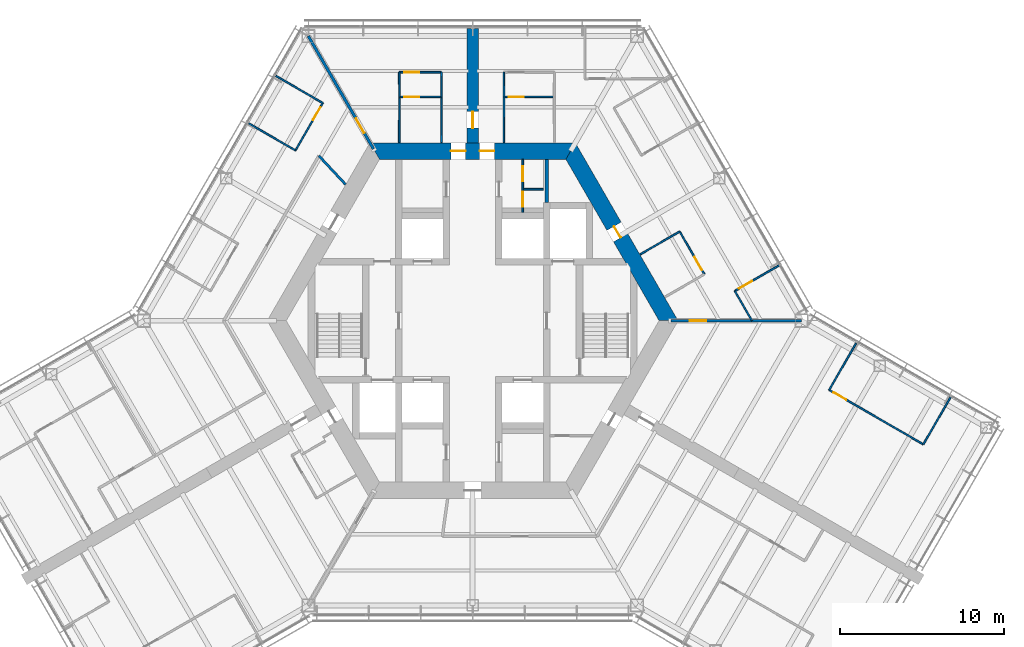
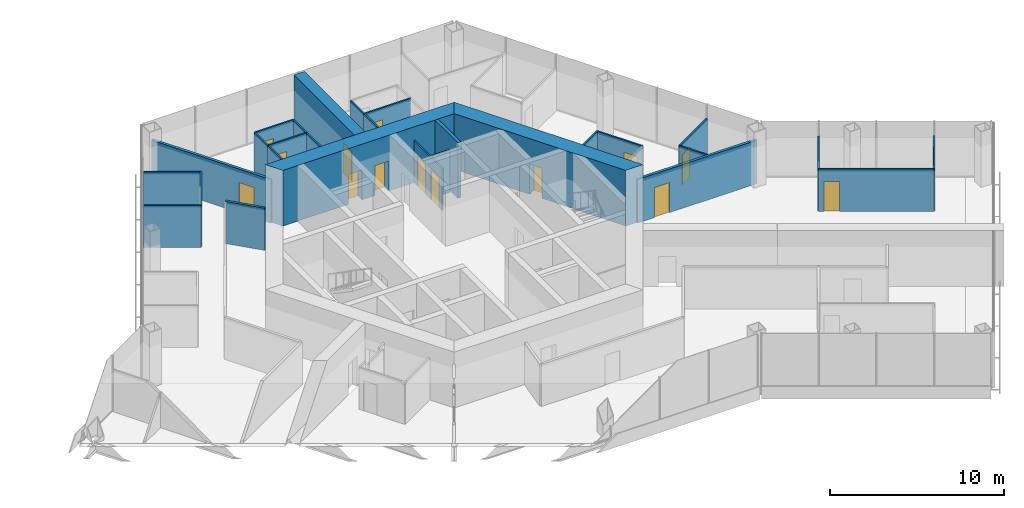
# One storey, part 14 of 18: 28 walls, 15 doors, 15 openings.
"""IFC4 building model written with IfcOpenShell, lengths in metres."""

import ifcopenshell
import ifcopenshell.guid

model = None  # the IFC model being written
_history = None  # IfcOwnerHistory: only IFC2X3 demands one
_inside = {}  # id of a spatial element -> (the spatial element, [elements in it])
_under = {}  # id of a project, library or spatial element -> (it, [spatial elements below it])
_declared = {}  # id of a project -> (the project, [libraries it declares])
_typed = {}  # id of a type object -> (the type object, [elements of that type])
_made_of = {}  # id of a material, layer set ... -> (it, [elements and type objects made of it])


def new_model(schema):
    """Start an empty IFC model of exactly this schema.

    Asked for "IFC4X3", IfcOpenShell would pick the latest addendum, in which some entities
    have other attributes; the version numbers below select the first issue.
    IFC2X3 requires an IfcOwnerHistory on every rooted entity: one is made here for all.
    """
    global model, _history
    if schema == "IFC4X3":
        model = ifcopenshell.file(schema_version=(4, 3, 0, 0))
    else:
        model = ifcopenshell.file(schema=schema)
    _inside.clear()
    _under.clear()
    _declared.clear()
    _typed.clear()
    _made_of.clear()
    _history = None
    if model.schema == "IFC2X3":
        org = make("IfcOrganization", Name="unknown")
        user = make(
            "IfcPersonAndOrganization",
            ThePerson=make("IfcPerson", FamilyName="unknown"),
            TheOrganization=org,
        )
        app = make(
            "IfcApplication",
            ApplicationDeveloper=org,
            Version="unknown",
            ApplicationFullName="unknown",
            ApplicationIdentifier="unknown",
        )
        _history = make(
            "IfcOwnerHistory",
            OwningUser=user,
            OwningApplication=app,
            ChangeAction="ADDED",
            CreationDate=0,
        )
    return model


def make(cls, **values):
    """One entity of the class cls with the attributes given. An attribute that is None is left unset."""
    return model.create_entity(
        cls, **{name: value for name, value in values.items() if value is not None}
    )


def rooted(cls, **values):
    """An entity with a GlobalId (a new one), such as an element, a storey or a relation."""
    return make(cls, GlobalId=ifcopenshell.guid.new(), OwnerHistory=_history, **values)


def si_unit(unit_type, name, prefix=None):
    """IfcSIUnit, for example si_unit("LENGTHUNIT", "METRE", prefix="MILLI")."""
    return make("IfcSIUnit", UnitType=unit_type, Prefix=prefix, Name=name)


def assignment(units):
    """IfcUnitAssignment: the units of a project."""
    return None if units is None else make("IfcUnitAssignment", Units=units)


def point(xyz):
    """IfcCartesianPoint."""
    return None if xyz is None else make("IfcCartesianPoint", Coordinates=xyz)


def direction(xyz):
    """IfcDirection."""
    return None if xyz is None else make("IfcDirection", DirectionRatios=xyz)


def frame(location, z_axis=None, x_axis=None):
    """IfcAxis2Placement3D, a coordinate frame: its origin and axes. An axis left out is left unset."""
    return make(
        "IfcAxis2Placement3D",
        Location=point(location),
        Axis=direction(z_axis),
        RefDirection=direction(x_axis),
    )


def frame_2d(location, x_axis=None):
    """IfcAxis2Placement2D, a coordinate frame in the plane: its origin and x axis."""
    return make(
        "IfcAxis2Placement2D", Location=point(location), RefDirection=direction(x_axis)
    )


def origin():
    """The frame at (0, 0, 0) with its axes left unset."""
    return frame((0.0, 0.0, 0.0))


def place(relative_to, where):
    """IfcLocalPlacement: puts the frame where relative to a parent placement (None: the world)."""
    return make(
        "IfcLocalPlacement", PlacementRelTo=relative_to, RelativePlacement=where
    )


def context(
    kind, dimensions, precision=None, world=None, true_north=None, identifier=None
):
    """IfcGeometricRepresentationContext, for example the 3D "Model" context."""
    return make(
        "IfcGeometricRepresentationContext",
        ContextIdentifier=identifier,
        ContextType=kind,
        CoordinateSpaceDimension=dimensions,
        Precision=precision,
        WorldCoordinateSystem=world,
        TrueNorth=true_north,
    )


def subcontext(parent, identifier, kind, view, scale=None):
    """IfcGeometricRepresentationSubContext, for example "Body" below "Model"."""
    return make(
        "IfcGeometricRepresentationSubContext",
        ContextIdentifier=identifier,
        ContextType=kind,
        ParentContext=parent,
        TargetScale=scale,
        TargetView=view,
    )


def project(units=None, contexts=None):
    """IfcProject with its units and contexts."""
    return rooted(
        "IfcProject",
        Name="project",
        RepresentationContexts=contexts,
        UnitsInContext=assignment(units),
    )


def spatial(cls, under=None, at=None, **own):
    """A site, building, storey or space (cls), placed at a placement, below another one or the project."""
    s = rooted(cls, ObjectPlacement=at, **own)
    if under is not None:
        _under.setdefault(under.id(), (under, []))[1].append(s)
    return s


def polyline(points):
    """IfcPolyline through the points."""
    return make("IfcPolyline", Points=[point(p) for p in points])


def profile(cls, at=None, kind="AREA", **sizes):
    """A parametric profile (cls). Its sizes go by their IFC names, for example OverallWidth=200.0."""
    return make(cls, ProfileType=kind, Position=at, **sizes)


def rectangle(**sizes):
    """IfcRectangleProfileDef."""
    return profile("IfcRectangleProfileDef", **sizes)


def outline(outer, holes=None, kind="AREA"):
    """IfcArbitraryClosedProfileDef: a profile drawn as a closed curve; with holes, ...WithVoids."""
    if holes is None:
        return make("IfcArbitraryClosedProfileDef", ProfileType=kind, OuterCurve=outer)
    return make(
        "IfcArbitraryProfileDefWithVoids",
        ProfileType=kind,
        OuterCurve=outer,
        InnerCurves=holes,
    )


def extrude(swept, where, along, depth):
    """IfcExtrudedAreaSolid: the profile swept, set in the frame where, extruded along a direction by depth."""
    return make(
        "IfcExtrudedAreaSolid",
        SweptArea=swept,
        Position=where,
        ExtrudedDirection=direction(along),
        Depth=depth,
    )


def shape(context_of_items, identifier, shape_type, items):
    """IfcShapeRepresentation: the items that make up one representation, for example the "Body"."""
    return make(
        "IfcShapeRepresentation",
        ContextOfItems=context_of_items,
        RepresentationIdentifier=identifier,
        RepresentationType=shape_type,
        Items=items,
    )


def material(Name=None, Category=None):
    """IfcMaterial."""
    return make("IfcMaterial", Name=Name, Category=Category)


def layer(
    of_material, thickness, ventilated=None, Name=None, Category=None, Priority=None
):
    """IfcMaterialLayer: one layer of a wall or slab, of a material (None: an air gap)."""
    return make(
        "IfcMaterialLayer",
        Material=of_material,
        LayerThickness=thickness,
        IsVentilated=ventilated,
        Name=Name,
        Category=Category,
        Priority=Priority,
    )


def layer_set(layers, Name=None):
    """IfcMaterialLayerSet."""
    return make("IfcMaterialLayerSet", MaterialLayers=layers, LayerSetName=Name)


def made_of(thing, what):
    """Note that an element or type object is made of a material, layer set ...; save() writes the relation."""
    if what is not None:
        _made_of.setdefault(what.id(), (what, []))[1].append(thing)
    return thing


def type_object(cls, material=None, **own):
    """A type object (cls), such as IfcWallType, which elements share."""
    return made_of(rooted(cls, **own), material)


def element(
    cls,
    number,
    at=None,
    inside=None,
    cuts=None,
    type_object=None,
    material=None,
    context=None,
    identifier="Body",
    shape_type=None,
    held_by="IfcProductDefinitionShape",
    body=None,
    shapes=None,
    **own,
):
    """One element of the class cls, such as IfcWall. Its Tag is "e" and its number.

    at: its placement. inside: the storey or other place that contains it. cuts: it is an
    opening in that element (IfcRelVoidsElement). A single representation is given by context,
    identifier, shape_type and body (its items); several are given by shapes. held_by: the class
    of the entity that holds the representations. save() writes the other relations.
    """
    e = rooted(cls, Tag="e%d" % number, ObjectPlacement=at, **own)
    if body is not None:
        shapes = [shape(context, identifier, shape_type, body)]
    if shapes is not None:
        e.Representation = make(held_by, Representations=shapes)
    if inside is not None:
        _inside.setdefault(inside.id(), (inside, []))[1].append(e)
    if cuts is not None:
        rooted(
            "IfcRelVoidsElement", RelatingBuildingElement=cuts, RelatedOpeningElement=e
        )
    if type_object is not None:
        _typed.setdefault(type_object.id(), (type_object, []))[1].append(e)
    return made_of(e, material)


def fill(opening, filler):
    """IfcRelFillsElement: the door or window that sits in an opening."""
    return rooted(
        "IfcRelFillsElement",
        RelatingOpeningElement=opening,
        RelatedBuildingElement=filler,
    )


def aggregate(whole, parts):
    """IfcRelAggregates: a whole, such as a stair, and the parts it consists of."""
    return rooted("IfcRelAggregates", RelatingObject=whole, RelatedObjects=parts)


def save(model, path):
    """Write the relations noted so far, then the file.

    IfcRelAggregates (storeys below a building ...), IfcRelContainedInSpatialStructure (elements
    in a storey), IfcRelDefinesByType, IfcRelAssociatesMaterial and IfcRelDeclares: one each for
    every whole, place, type object, material and project.
    """
    for whole, parts in _under.values():
        aggregate(whole, parts)
    for where, things in _inside.values():
        rooted(
            "IfcRelContainedInSpatialStructure",
            RelatedElements=things,
            RelatingStructure=where,
        )
    for kind, things in _typed.values():
        rooted("IfcRelDefinesByType", RelatedObjects=things, RelatingType=kind)
    for what, things in _made_of.values():
        rooted("IfcRelAssociatesMaterial", RelatedObjects=things, RelatingMaterial=what)
    for by, libraries in _declared.values():
        rooted("IfcRelDeclares", RelatingContext=by, RelatedDefinitions=libraries)
    model.write(path)


model = new_model("IFC4")

# Units and contexts
model_context = context("Model", 3, precision=1e-05, world=origin(), true_north=direction((0.0, 1.0)))
body_context = subcontext(model_context, "Body", "Model", "MODEL_VIEW")
ifc_project = project(units=[si_unit("LENGTHUNIT", "METRE"), si_unit("AREAUNIT", "SQUARE_METRE"), si_unit("VOLUMEUNIT", "CUBIC_METRE"), si_unit("PLANEANGLEUNIT", "RADIAN"), si_unit("MASSUNIT", "GRAM", prefix="KILO")], contexts=[model_context])

# Site, building, storey
site_placement = place(None, origin())
site = spatial("IfcSite", under=ifc_project, at=site_placement, CompositionType="ELEMENT")
building_placement = place(site_placement, origin())
building = spatial("IfcBuilding", under=site, at=building_placement, Name="Kasaneha Research Tower", CompositionType="ELEMENT")
storey_placement = place(building_placement, frame((0.0, 0.0, 144.800048828125)))
storey = spatial("IfcBuildingStorey", under=building, at=storey_placement, Name="L36", CompositionType="ELEMENT", Elevation=144.800048828125)

# Wall, opening, door
ifc_material_1 = material(Name="Concrete Fc70", Category="concrete")
ifc_layer_1 = layer(ifc_material_1, 1.0)
ifc_layer_set_1 = layer_set([ifc_layer_1], Name="Core wall 1000 Fc70")
wall_type_1 = type_object("IfcWallType", Name="Core wall 1000 Fc70", PredefinedType="SHEAR", material=ifc_layer_set_1)
wall_1_placement = place(storey_placement, frame((11.92236328125, 0.0, 0.0), z_axis=(0.0, 0.0, 1.0), x_axis=(-0.500004296715, 0.866022923061, 0.0)))
wall_1 = element("IfcWall", 1, at=wall_1_placement, inside=storey, type_object=wall_type_1, Name="Core wall 030 L36", PredefinedType="SHEAR", context=body_context, shape_type="SweptSolid", body=[
    extrude(outline(polyline([(-0.28857421875, -0.5), (5.83544921875, -0.5), (6.635498046875, -0.5), (12.2109375, -0.5), (11.6337890625, 0.5), (6.635498046875, 0.5), (5.83544921875, 0.5), (0.28857421875, 0.5), (-0.28857421875, -0.5)])), origin(), (0.0, 0.0, 1.0), 3.89990234375),
])
opening_1_placement = place(wall_1_placement, frame((5.83544921875, 0.0, 0.0)))
opening_1 = element("IfcOpeningElement", 2, at=opening_1_placement, cuts=wall_1, Name="Opening L36-D04", PredefinedType="OPENING", context=body_context, shape_type="SweptSolid", body=[
    extrude(rectangle(XDim=0.800048828125, YDim=2.10009765625, at=frame_2d((0.39990234375, 1.050048828125))), frame((0.0, 0.510009765625, 0.0), z_axis=(0.0, -1.0, 0.0), x_axis=(1.0, 0.0, 0.0)), (0.0, 0.0, 1.0), 1.02001953125),
])
ifc_material_2 = material(Name="Steel", Category="steel")
door_type_1 = type_object("IfcDoorType", Name="Riser access door FD60 800x2100", OperationType="NOTDEFINED", PredefinedType="DOOR", material=ifc_material_2)
door_1_placement = place(opening_1_placement, origin())
door_1 = element("IfcDoor", 3, at=door_1_placement, inside=storey, type_object=door_type_1, Name="Pipe riser door L36-D04", OperationType="SINGLE_SWING_RIGHT", OverallHeight=2.10009765625, OverallWidth=0.800048828125, PredefinedType="DOOR", context=body_context, shape_type="SweptSolid", body=[
    extrude(rectangle(XDim=0.800048828125, YDim=2.10009765625, at=frame_2d((0.39990234375, 1.050048828125))), frame((0.0, 0.02490234375, 0.0), z_axis=(0.0, -1.0, 0.0), x_axis=(1.0, 0.0, 0.0)), (0.0, 0.0, 1.0), 0.050048828125),
])
fill(opening_1, door_1)

# Wall, openings, doors
wall_2_placement = place(storey_placement, frame((5.961181640625, 10.324951171875, 0.0), z_axis=(0.0, 0.0, 1.0), x_axis=(-1.0, 0.0, 0.0)))
wall_2 = element("IfcWall", 4, at=wall_2_placement, inside=storey, type_object=wall_type_1, Name="Core wall 090 L36", PredefinedType="SHEAR", context=body_context, shape_type="SweptSolid", body=[
    extrude(outline(polyline([(-0.28857421875, -0.5), (4.63623046875, -0.5), (5.5361328125, -0.5), (6.38623046875, -0.5), (7.2861328125, -0.5), (12.2109375, -0.5), (11.6337890625, 0.5), (7.2861328125, 0.5), (6.38623046875, 0.5), (5.5361328125, 0.5), (4.63623046875, 0.5), (0.28857421875, 0.5), (-0.28857421875, -0.5)])), origin(), (0.0, 0.0, 1.0), 3.89990234375),
])
opening_2_placement = place(wall_2_placement, frame((6.38623046875, 0.0, 0.0)))
opening_2 = element("IfcOpeningElement", 5, at=opening_2_placement, cuts=wall_2, Name="Opening L36-D01", PredefinedType="OPENING", context=body_context, shape_type="SweptSolid", body=[
    extrude(rectangle(XDim=0.89990234375, YDim=2.10009765625, at=frame_2d((0.449951171875, 1.050048828125))), frame((0.0, 0.510009765625, 0.0), z_axis=(0.0, -1.0, 0.0), x_axis=(1.0, 0.0, 0.0)), (0.0, 0.0, 1.0), 1.02001953125),
])
opening_3_placement = place(wall_2_placement, frame((4.63623046875, 0.0, 0.0)))
opening_3 = element("IfcOpeningElement", 6, at=opening_3_placement, cuts=wall_2, Name="Opening L36-D02", PredefinedType="OPENING", context=body_context, shape_type="SweptSolid", body=[
    extrude(rectangle(XDim=0.89990234375, YDim=2.10009765625, at=frame_2d((0.449951171875, 1.050048828125))), frame((0.0, 0.510009765625, 0.0), z_axis=(0.0, -1.0, 0.0), x_axis=(1.0, 0.0, 0.0)), (0.0, 0.0, 1.0), 1.02001953125),
])
ifc_material_3 = material(Name="Steel", Category="steel")
door_type_2 = type_object("IfcDoorType", Name="Toilet door FD20 900x2100", OperationType="NOTDEFINED", PredefinedType="DOOR", material=ifc_material_3)
door_2_placement = place(opening_2_placement, origin())
door_2 = element("IfcDoor", 7, at=door_2_placement, inside=storey, type_object=door_type_2, Name="Core door north 1 L36-D01", OperationType="SINGLE_SWING_RIGHT", OverallHeight=2.10009765625, OverallWidth=0.89990234375, PredefinedType="DOOR", context=body_context, shape_type="SweptSolid", body=[
    extrude(rectangle(XDim=0.89990234375, YDim=2.10009765625, at=frame_2d((0.449951171875, 1.050048828125))), frame((0.0, 0.02490234375, 0.0), z_axis=(0.0, -1.0, 0.0), x_axis=(1.0, 0.0, 0.0)), (0.0, 0.0, 1.0), 0.050048828125),
])
fill(opening_2, door_2)
door_3_placement = place(opening_3_placement, origin())
door_3 = element("IfcDoor", 8, at=door_3_placement, inside=storey, type_object=door_type_2, Name="Core door north 2 L36-D02", OperationType="SINGLE_SWING_LEFT", OverallHeight=2.10009765625, OverallWidth=0.89990234375, PredefinedType="DOOR", context=body_context, shape_type="SweptSolid", body=[
    extrude(rectangle(XDim=0.89990234375, YDim=2.10009765625, at=frame_2d((0.449951171875, 1.050048828125))), frame((0.0, 0.02490234375, 0.0), z_axis=(0.0, -1.0, 0.0), x_axis=(1.0, 0.0, 0.0)), (0.0, 0.0, 1.0), 0.050048828125),
])
fill(opening_3, door_3)

ifc_material_4 = material(Name="Gypsum board on steel studs, one layer each side", Category="steel")
ifc_layer_2 = layer(ifc_material_4, 0.10009765625)
ifc_layer_set_2 = layer_set([ifc_layer_2], Name="Office partition 100")
wall_type_2 = type_object("IfcWallType", Name="Office partition 100", PredefinedType="PARTITIONING", material=ifc_layer_set_2)
wall_3_placement = place(storey_placement, frame((3.050048828125, 6.60009765625, 0.0), z_axis=(0.0, 0.0, 1.0), x_axis=(0.0, 1.0, 0.0)))
wall_3 = element("IfcWall", 9, at=wall_3_placement, inside=storey, type_object=wall_type_2, Name="Office partition TBF1 L36", PredefinedType="PARTITIONING", context=body_context, shape_type="SweptSolid", body=[
    extrude(rectangle(XDim=3.224853515625, YDim=0.10009765625, at=frame_2d((1.6123046875, 0.0))), origin(), (0.0, 0.0, 1.0), 2.949951171875),
])
opening_4_placement = place(wall_3_placement, frame((1.887451171875, 0.0, 0.0)))
opening_4 = element("IfcOpeningElement", 10, at=opening_4_placement, cuts=wall_3, Name="Opening L36-D20", PredefinedType="OPENING", context=body_context, shape_type="SweptSolid", body=[
    extrude(rectangle(XDim=0.89990234375, YDim=2.10009765625, at=frame_2d((0.449951171875, 1.050048828125))), frame((0.0, 0.06005859375, 0.0), z_axis=(0.0, -1.0, 0.0), x_axis=(1.0, 0.0, 0.0)), (0.0, 0.0, 1.0), 0.1201171875),
])
opening_5_placement = place(wall_3_placement, frame((0.35009765625, 0.0, 0.0)))
opening_5 = element("IfcOpeningElement", 11, at=opening_5_placement, cuts=wall_3, Name="Opening L36-D21", PredefinedType="OPENING", context=body_context, shape_type="SweptSolid", body=[
    extrude(rectangle(XDim=0.89990234375, YDim=2.10009765625, at=frame_2d((0.449951171875, 1.050048828125))), frame((0.0, 0.06005859375, 0.0), z_axis=(0.0, -1.0, 0.0), x_axis=(1.0, 0.0, 0.0)), (0.0, 0.0, 1.0), 0.1201171875),
])
ifc_material_5 = material(Name="Steel", Category="steel")
door_type_3 = type_object("IfcDoorType", Name="Toilet lobby door FD30 900x2100", OperationType="NOTDEFINED", PredefinedType="DOOR", material=ifc_material_5)
door_4_placement = place(opening_4_placement, origin())
door_4 = element("IfcDoor", 12, at=door_4_placement, inside=storey, type_object=door_type_3, Name="Women's WC door L36-D20", OperationType="SINGLE_SWING_RIGHT", OverallHeight=2.10009765625, OverallWidth=0.89990234375, PredefinedType="DOOR", context=body_context, shape_type="SweptSolid", body=[
    extrude(rectangle(XDim=0.89990234375, YDim=2.10009765625, at=frame_2d((0.449951171875, 1.050048828125))), frame((0.0, 0.02490234375, 0.0), z_axis=(0.0, -1.0, 0.0), x_axis=(1.0, 0.0, 0.0)), (0.0, 0.0, 1.0), 0.050048828125),
])
fill(opening_4, door_4)
door_5_placement = place(opening_5_placement, origin())
door_5 = element("IfcDoor", 13, at=door_5_placement, inside=storey, type_object=door_type_3, Name="Cleaner's store door L36-D21", OperationType="SINGLE_SWING_RIGHT", OverallHeight=2.10009765625, OverallWidth=0.89990234375, PredefinedType="DOOR", context=body_context, shape_type="SweptSolid", body=[
    extrude(rectangle(XDim=0.89990234375, YDim=2.10009765625, at=frame_2d((0.449951171875, 1.050048828125))), frame((0.0, 0.02490234375, 0.0), z_axis=(0.0, -1.0, 0.0), x_axis=(1.0, 0.0, 0.0)), (0.0, 0.0, 1.0), 0.050048828125),
])
fill(opening_5, door_5)

# Wall
wall_4_placement = place(storey_placement, frame((3.10009765625, 8.0, 0.0), z_axis=(0.0, 0.0, 1.0), x_axis=(1.0, 0.0, 0.0)))
element("IfcWall", 14, at=wall_4_placement, inside=storey, type_object=wall_type_2, Name="Office partition TBF2 L36", PredefinedType="PARTITIONING", context=body_context, shape_type="SweptSolid", body=[
    extrude(rectangle(XDim=1.199951171875, YDim=0.10009765625, at=frame_2d((0.60009765625, 0.0))), origin(), (0.0, 0.0, 1.0), 2.949951171875),
])

# Wall, opening, door
wall_5_placement = place(storey_placement, frame((1.89990234375, 13.6201171875, 0.0), z_axis=(0.0, 0.0, 1.0), x_axis=(1.0, 0.0, 0.0)))
wall_5 = element("IfcWall", 15, at=wall_5_placement, inside=storey, type_object=wall_type_2, Name="Office partition FAE01 L36", PredefinedType="PARTITIONING", context=body_context, shape_type="SweptSolid", body=[
    extrude(rectangle(XDim=3.071044921875, YDim=0.10009765625, at=frame_2d((1.53564453125, 0.0))), origin(), (0.0, 0.0, 1.0), 2.949951171875),
])
opening_6_placement = place(wall_5_placement, frame((0.300048828125, 0.0, 0.0)))
opening_6 = element("IfcOpeningElement", 16, at=opening_6_placement, cuts=wall_5, Name="Opening L36-D26", PredefinedType="OPENING", context=body_context, shape_type="SweptSolid", body=[
    extrude(rectangle(XDim=0.89990234375, YDim=2.10009765625, at=frame_2d((0.449951171875, 1.050048828125))), frame((0.0, 0.06005859375, 0.0), z_axis=(0.0, -1.0, 0.0), x_axis=(1.0, 0.0, 0.0)), (0.0, 0.0, 1.0), 0.1201171875),
])
door_6_placement = place(opening_6_placement, origin())
door_6 = element("IfcDoor", 17, at=door_6_placement, inside=storey, type_object=door_type_3, Name="Women's WC door L36-D26", OperationType="SINGLE_SWING_LEFT", OverallHeight=2.10009765625, OverallWidth=0.89990234375, PredefinedType="DOOR", context=body_context, shape_type="SweptSolid", body=[
    extrude(rectangle(XDim=0.89990234375, YDim=2.10009765625, at=frame_2d((0.449951171875, 1.050048828125))), frame((0.0, 0.02490234375, 0.0), z_axis=(0.0, -1.0, 0.0), x_axis=(1.0, 0.0, 0.0)), (0.0, 0.0, 1.0), 0.050048828125),
])
fill(opening_6, door_6)

# Walls
wall_6_placement = place(storey_placement, frame((1.89990234375, 10.844970703125, 0.0), z_axis=(0.0, 0.0, 1.0), x_axis=(0.001668567099, 0.999998607941, 0.0)))
element("IfcWall", 18, at=wall_6_placement, inside=storey, type_object=wall_type_2, Name="Office partition FAE02 L36", PredefinedType="PARTITIONING", context=body_context, shape_type="SweptSolid", body=[
    extrude(rectangle(XDim=2.780029296875, YDim=0.10009765625, at=frame_2d((1.39013671875, 0.0))), origin(), (0.0, 0.0, 1.0), 2.949951171875),
])
wall_7_placement = place(storey_placement, frame((1.904541015625, 13.625, 0.0), z_axis=(0.0, 0.0, 1.0), x_axis=(-0.00309243313, 0.999995218417, 0.0)))
element("IfcWall", 19, at=wall_7_placement, inside=storey, type_object=wall_type_2, Name="Office partition FAE05 L36", PredefinedType="PARTITIONING", context=body_context, shape_type="SweptSolid", body=[
    extrude(rectangle(XDim=1.5, YDim=0.10009765625, at=frame_2d((0.75, 0.0))), origin(), (0.0, 0.0, 1.0), 2.949951171875),
])
wall_8_placement = place(storey_placement, frame((10.19189453125, 4.036865234375, 0.0), z_axis=(0.0, 0.0, 1.0), x_axis=(0.866018876994, 0.500011304563, 0.0)))
element("IfcWall", 20, at=wall_8_placement, inside=storey, type_object=wall_type_2, Name="Office partition FAE07 L36", PredefinedType="PARTITIONING", context=body_context, shape_type="SweptSolid", body=[
    extrude(rectangle(XDim=2.7802734375, YDim=0.10009765625, at=frame_2d((1.39013671875, 0.0))), origin(), (0.0, 0.0, 1.0), 2.949951171875),
])

# Wall, opening, door
wall_9_placement = place(storey_placement, frame((12.599609375, 5.427001953125, 0.0), z_axis=(0.0, 0.0, 1.0), x_axis=(0.499990139034, -0.866031096941, 0.0)))
wall_9 = element("IfcWall", 21, at=wall_9_placement, inside=storey, type_object=wall_type_2, Name="Office partition FAE08 L36", PredefinedType="PARTITIONING", context=body_context, shape_type="SweptSolid", body=[
    extrude(rectangle(XDim=3.0, YDim=0.10009765625, at=frame_2d((1.5, 0.0))), origin(), (0.0, 0.0, 1.0), 2.949951171875),
])
opening_7_placement = place(wall_9_placement, frame((1.800048828125, 0.0, 0.0)))
opening_7 = element("IfcOpeningElement", 22, at=opening_7_placement, cuts=wall_9, Name="Opening L36-D28", PredefinedType="OPENING", context=body_context, shape_type="SweptSolid", body=[
    extrude(rectangle(XDim=0.89990234375, YDim=2.10009765625, at=frame_2d((0.449951171875, 1.050048828125))), frame((0.0, 0.06005859375, 0.0), z_axis=(0.0, -1.0, 0.0), x_axis=(1.0, 0.0, 0.0)), (0.0, 0.0, 1.0), 0.1201171875),
])
ifc_material_6 = material(Name="Timber veneer", Category="wood")
door_type_4 = type_object("IfcDoorType", Name="Office door 900x2100", OperationType="SINGLE_SWING_LEFT", PredefinedType="DOOR", material=ifc_material_6)
door_7_placement = place(opening_7_placement, origin())
door_7 = element("IfcDoor", 23, at=door_7_placement, inside=storey, type_object=door_type_4, Name="Pantry door L36-D28", OperationType="SINGLE_SWING_RIGHT", OverallHeight=2.10009765625, OverallWidth=0.89990234375, PredefinedType="DOOR", context=body_context, shape_type="SweptSolid", body=[
    extrude(rectangle(XDim=0.89990234375, YDim=2.10009765625, at=frame_2d((0.449951171875, 1.050048828125))), frame((0.0, 0.02490234375, 0.0), z_axis=(0.0, -1.0, 0.0), x_axis=(1.0, 0.0, 0.0)), (0.0, 0.0, 1.0), 0.050048828125),
])
fill(opening_7, door_7)

wall_10_placement = place(storey_placement, frame((15.952392578125, 1.810546875, 0.0), z_axis=(0.0, 0.0, 1.0), x_axis=(0.866036212918, 0.499981277565, 0.0)))
wall_10 = element("IfcWall", 24, at=wall_10_placement, inside=storey, type_object=wall_type_2, Name="Office partition FAE14 L36", PredefinedType="PARTITIONING", context=body_context, shape_type="SweptSolid", body=[
    extrude(rectangle(XDim=3.1298828125, YDim=0.10009765625, at=frame_2d((1.56494140625, 0.0))), origin(), (0.0, 0.0, 1.0), 2.949951171875),
])
opening_8_placement = place(wall_10_placement, frame((0.300048828125, 0.0, 0.0)))
opening_8 = element("IfcOpeningElement", 25, at=opening_8_placement, cuts=wall_10, Name="Opening L36-D30", PredefinedType="OPENING", context=body_context, shape_type="SweptSolid", body=[
    extrude(rectangle(XDim=0.89990234375, YDim=2.10009765625, at=frame_2d((0.449951171875, 1.050048828125))), frame((0.0, 0.06005859375, 0.0), z_axis=(0.0, -1.0, 0.0), x_axis=(1.0, 0.0, 0.0)), (0.0, 0.0, 1.0), 0.1201171875),
])
door_8_placement = place(opening_8_placement, origin())
door_8 = element("IfcDoor", 26, at=door_8_placement, inside=storey, type_object=door_type_4, Name="Project room door L36-D30", OperationType="SINGLE_SWING_LEFT", OverallHeight=2.10009765625, OverallWidth=0.89990234375, PredefinedType="DOOR", context=body_context, shape_type="SweptSolid", body=[
    extrude(rectangle(XDim=0.89990234375, YDim=2.10009765625, at=frame_2d((0.449951171875, 1.050048828125))), frame((0.0, 0.02490234375, 0.0), z_axis=(0.0, -1.0, 0.0), x_axis=(1.0, 0.0, 0.0)), (0.0, 0.0, 1.0), 0.050048828125),
])
fill(opening_8, door_8)

# Wall
wall_11_placement = place(storey_placement, frame((16.986083984375, 0.02001953125, 0.0), z_axis=(0.0, 0.0, 1.0), x_axis=(-0.499974592989, 0.866040072032, 0.0)))
element("IfcWall", 27, at=wall_11_placement, inside=storey, type_object=wall_type_2, Name="Office partition FAE15 L36", PredefinedType="PARTITIONING", context=body_context, shape_type="SweptSolid", body=[
    extrude(rectangle(XDim=2.0673828125, YDim=0.10009765625, at=frame_2d((1.03369140625, 0.0))), origin(), (0.0, 0.0, 1.0), 2.949951171875),
])

# Wall, opening, door
wall_12_placement = place(storey_placement, frame((-4.465087890625, 13.6201171875, 0.0), z_axis=(0.0, 0.0, 1.0), x_axis=(1.0, 0.0, 0.0)))
wall_12 = element("IfcWall", 28, at=wall_12_placement, inside=storey, type_object=wall_type_2, Name="Office partition FAW01 L36", PredefinedType="PARTITIONING", context=body_context, shape_type="SweptSolid", body=[
    extrude(rectangle(XDim=2.565185546875, YDim=0.10009765625, at=frame_2d((1.28271484375, 0.0))), origin(), (0.0, 0.0, 1.0), 2.949951171875),
])
opening_9_placement = place(wall_12_placement, frame((0.300048828125, 0.0, 0.0)))
opening_9 = element("IfcOpeningElement", 29, at=opening_9_placement, cuts=wall_12, Name="Opening L36-D32", PredefinedType="OPENING", context=body_context, shape_type="SweptSolid", body=[
    extrude(rectangle(XDim=0.89990234375, YDim=2.10009765625, at=frame_2d((0.449951171875, 1.050048828125))), frame((0.0, 0.06005859375, 0.0), z_axis=(0.0, -1.0, 0.0), x_axis=(1.0, 0.0, 0.0)), (0.0, 0.0, 1.0), 0.1201171875),
])
door_9_placement = place(opening_9_placement, origin())
door_9 = element("IfcDoor", 30, at=door_9_placement, inside=storey, type_object=door_type_3, Name="Men's WC door L36-D32", OperationType="SINGLE_SWING_LEFT", OverallHeight=2.10009765625, OverallWidth=0.89990234375, PredefinedType="DOOR", context=body_context, shape_type="SweptSolid", body=[
    extrude(rectangle(XDim=0.89990234375, YDim=2.10009765625, at=frame_2d((0.449951171875, 1.050048828125))), frame((0.0, 0.02490234375, 0.0), z_axis=(0.0, -1.0, 0.0), x_axis=(1.0, 0.0, 0.0)), (0.0, 0.0, 1.0), 0.050048828125),
])
fill(opening_9, door_9)

# Walls
for number, where, z_axis, x_axis, name in (
    (31, (-4.465087890625, 10.844970703125, 0.0), (0.0, 0.0, 1.0), (0.001668567099, 0.999998607941, 0.0), "Office partition FAW02 L36"),
    (32, (-1.90478515625, 13.625, 0.0), (0.0, 0.0, 1.0), (0.001756386155, -0.999998457553, 0.0), "Office partition FAW03 L36"),
):
    element("IfcWall", number, at=place(storey_placement, frame(where, z_axis=z_axis, x_axis=x_axis)), inside=storey, type_object=wall_type_2, Name=name, PredefinedType="PARTITIONING", context=body_context, shape_type="SweptSolid", body=[
        extrude(rectangle(XDim=2.780029296875, YDim=0.10009765625, at=frame_2d((1.39013671875, 0.0))), origin(), (0.0, 0.0, 1.0), 2.949951171875),
    ])

# Wall, opening, door
wall_13_placement = place(storey_placement, frame((-4.465087890625, 15.125, 0.0), z_axis=(0.0, 0.0, 1.0), x_axis=(1.0, 0.0, 0.0)))
wall_13 = element("IfcWall", 33, at=wall_13_placement, inside=storey, type_object=wall_type_2, Name="Office partition FAW04 L36", PredefinedType="PARTITIONING", context=body_context, shape_type="SweptSolid", body=[
    extrude(rectangle(XDim=2.565185546875, YDim=0.10009765625, at=frame_2d((1.28271484375, 0.0))), origin(), (0.0, 0.0, 1.0), 2.949951171875),
])
opening_10_placement = place(wall_13_placement, frame((0.300048828125, 0.0, 0.0)))
opening_10 = element("IfcOpeningElement", 34, at=opening_10_placement, cuts=wall_13, Name="Opening L36-D33", PredefinedType="OPENING", context=body_context, shape_type="SweptSolid", body=[
    extrude(rectangle(XDim=0.89990234375, YDim=2.10009765625, at=frame_2d((0.449951171875, 1.050048828125))), frame((0.0, 0.06005859375, 0.0), z_axis=(0.0, -1.0, 0.0), x_axis=(1.0, 0.0, 0.0)), (0.0, 0.0, 1.0), 0.1201171875),
])
door_10_placement = place(opening_10_placement, origin())
door_10 = element("IfcDoor", 35, at=door_10_placement, inside=storey, type_object=door_type_3, Name="Toilet lobby door L36-D33", OperationType="SINGLE_SWING_LEFT", OverallHeight=2.10009765625, OverallWidth=0.89990234375, PredefinedType="DOOR", context=body_context, shape_type="SweptSolid", body=[
    extrude(rectangle(XDim=0.89990234375, YDim=2.10009765625, at=frame_2d((0.449951171875, 1.050048828125))), frame((0.0, 0.02490234375, 0.0), z_axis=(0.0, -1.0, 0.0), x_axis=(1.0, 0.0, 0.0)), (0.0, 0.0, 1.0), 0.050048828125),
])
fill(opening_10, door_10)

# Walls
for number, where, z_axis, x_axis, name in (
    (36, (-4.46044921875, 13.625, 0.0), (0.0, 0.0, 1.0), (-0.00309243313, 0.999995218417, 0.0), "Office partition FAW05 L36"),
    (37, (-1.89990234375, 15.125, 0.0), (0.0, 0.0, 1.0), (-0.003255191087, -0.999994701851, 0.0), "Office partition FAW06 L36"),
):
    element("IfcWall", number, at=place(storey_placement, frame(where, z_axis=z_axis, x_axis=x_axis)), inside=storey, type_object=wall_type_2, Name=name, PredefinedType="PARTITIONING", context=body_context, shape_type="SweptSolid", body=[
        extrude(rectangle(XDim=1.5, YDim=0.10009765625, at=frame_2d((0.75, 0.0))), origin(), (0.0, 0.0, 1.0), 2.949951171875),
    ])
wall_14_placement = place(storey_placement, frame((-11.979736328125, 14.901611328125, 0.0), z_axis=(0.0, 0.0, 1.0), x_axis=(0.866052736899, -0.499952654668, 0.0)))
element("IfcWall", 38, at=wall_14_placement, inside=storey, type_object=wall_type_2, Name="Office partition FBN07 L36", PredefinedType="PARTITIONING", context=body_context, shape_type="SweptSolid", body=[
    extrude(rectangle(XDim=3.304931640625, YDim=0.10009765625, at=frame_2d((1.65234375, 0.0))), origin(), (0.0, 0.0, 1.0), 2.949951171875),
])
wall_15_placement = place(storey_placement, frame((-10.782958984375, 10.364501953125, 0.0), z_axis=(0.0, 0.0, 1.0), x_axis=(-0.866021955858, 0.500005971936, 0.0)))
element("IfcWall", 39, at=wall_15_placement, inside=storey, type_object=wall_type_2, Name="Office partition FBN08 L36", PredefinedType="PARTITIONING", context=body_context, shape_type="SweptSolid", body=[
    extrude(rectangle(XDim=3.27978515625, YDim=0.10009765625, at=frame_2d((1.639892578125, 0.0))), origin(), (0.0, 0.0, 1.0), 2.949951171875),
])

# Wall, opening, door
wall_16_placement = place(storey_placement, frame((-9.117431640625, 13.249267578125, 0.0), z_axis=(0.0, 0.0, 1.0), x_axis=(-0.500001606164, -0.866024476463, 0.0)))
wall_16 = element("IfcWall", 40, at=wall_16_placement, inside=storey, type_object=wall_type_2, Name="Office partition FBN09 L36", PredefinedType="PARTITIONING", context=body_context, shape_type="SweptSolid", body=[
    extrude(rectangle(XDim=3.3310546875, YDim=0.10009765625, at=frame_2d((1.66552734375, 0.0))), origin(), (0.0, 0.0, 1.0), 2.949951171875),
])
opening_11_placement = place(wall_16_placement, frame((0.300048828125, 0.0, 0.0)))
opening_11 = element("IfcOpeningElement", 41, at=opening_11_placement, cuts=wall_16, Name="Opening L36-D36", PredefinedType="OPENING", context=body_context, shape_type="SweptSolid", body=[
    extrude(rectangle(XDim=0.89990234375, YDim=2.10009765625, at=frame_2d((0.449951171875, 1.050048828125))), frame((0.0, 0.06005859375, 0.0), z_axis=(0.0, -1.0, 0.0), x_axis=(1.0, 0.0, 0.0)), (0.0, 0.0, 1.0), 0.1201171875),
])
door_11_placement = place(opening_11_placement, origin())
door_11 = element("IfcDoor", 42, at=door_11_placement, inside=storey, type_object=door_type_4, Name="Interview room door L36-D36", OperationType="SINGLE_SWING_LEFT", OverallHeight=2.10009765625, OverallWidth=0.89990234375, PredefinedType="DOOR", context=body_context, shape_type="SweptSolid", body=[
    extrude(rectangle(XDim=0.89990234375, YDim=2.10009765625, at=frame_2d((0.449951171875, 1.050048828125))), frame((0.0, 0.02490234375, 0.0), z_axis=(0.0, -1.0, 0.0), x_axis=(1.0, 0.0, 0.0)), (0.0, 0.0, 1.0), 0.050048828125),
])
fill(opening_11, door_11)

# Wall
wall_17_placement = place(storey_placement, frame((21.692138671875, -4.210205078125, 0.0), z_axis=(0.0, 0.0, 1.0), x_axis=(0.50002956483, 0.866008333849, 0.0)))
element("IfcWall", 43, at=wall_17_placement, inside=storey, type_object=wall_type_2, Name="Office partition FCE01 L36", PredefinedType="PARTITIONING", context=body_context, shape_type="SweptSolid", body=[
    extrude(rectangle(XDim=3.280029296875, YDim=0.10009765625, at=frame_2d((1.64013671875, 0.0))), origin(), (0.0, 0.0, 1.0), 2.949951171875),
])

# Wall, opening, door
wall_18_placement = place(storey_placement, frame((27.425048828125, -7.52001953125, 0.0), z_axis=(0.0, 0.0, 1.0), x_axis=(-0.866030817826, 0.499990622488, 0.0)))
wall_18 = element("IfcWall", 44, at=wall_18_placement, inside=storey, type_object=wall_type_2, Name="Office partition FCE02 L36", PredefinedType="PARTITIONING", context=body_context, shape_type="SweptSolid", body=[
    extrude(rectangle(XDim=6.619873046875, YDim=0.10009765625, at=frame_2d((3.31005859375, 0.0))), origin(), (0.0, 0.0, 1.0), 2.949951171875),
])
opening_12_placement = place(wall_18_placement, frame((5.419677734375, 0.0, 0.0)))
opening_12 = element("IfcOpeningElement", 45, at=opening_12_placement, cuts=wall_18, Name="Opening L36-D43", PredefinedType="OPENING", context=body_context, shape_type="SweptSolid", body=[
    extrude(rectangle(XDim=0.89990234375, YDim=2.10009765625, at=frame_2d((0.449951171875, 1.050048828125))), frame((0.0, 0.06005859375, 0.0), z_axis=(0.0, -1.0, 0.0), x_axis=(1.0, 0.0, 0.0)), (0.0, 0.0, 1.0), 0.1201171875),
])
door_12_placement = place(opening_12_placement, origin())
door_12 = element("IfcDoor", 46, at=door_12_placement, inside=storey, type_object=door_type_4, Name="Project room door L36-D43", OperationType="SINGLE_SWING_RIGHT", OverallHeight=2.10009765625, OverallWidth=0.89990234375, PredefinedType="DOOR", context=body_context, shape_type="SweptSolid", body=[
    extrude(rectangle(XDim=0.89990234375, YDim=2.10009765625, at=frame_2d((0.449951171875, 1.050048828125))), frame((0.0, 0.02490234375, 0.0), z_axis=(0.0, -1.0, 0.0), x_axis=(1.0, 0.0, 0.0)), (0.0, 0.0, 1.0), 0.050048828125),
])
fill(opening_12, door_12)

# Walls
wall_19_placement = place(storey_placement, frame((29.077392578125, -4.65771484375, 0.0), z_axis=(0.0, 0.0, 1.0), x_axis=(-0.499952654668, -0.866052736899, 0.0)))
element("IfcWall", 47, at=wall_19_placement, inside=storey, type_object=wall_type_2, Name="Office partition FCE03 L36", PredefinedType="PARTITIONING", context=body_context, shape_type="SweptSolid", body=[
    extrude(rectangle(XDim=3.304931640625, YDim=0.10009765625, at=frame_2d((1.65234375, 0.0))), origin(), (0.0, 0.0, 1.0), 2.949951171875),
])
ifc_material_7 = material(Name="Concrete block", Category="concrete")
ifc_layer_3 = layer(ifc_material_7, 0.199951171875)
ifc_layer_set_3 = layer_set([ifc_layer_3], Name="Riser enclosure wall 200")
wall_type_3 = type_object("IfcWallType", Name="Riser enclosure wall 200", PredefinedType="STANDARD", material=ifc_layer_set_3)
wall_20_placement = place(storey_placement, frame((4.5, 7.199951171875, 0.0), z_axis=(0.0, 0.0, 1.0), x_axis=(0.0, 1.0, 0.0)))
element("IfcWall", 48, at=wall_20_placement, inside=storey, type_object=wall_type_3, Name="Riser enclosure wall L36", PredefinedType="STANDARD", context=body_context, shape_type="SweptSolid", body=[
    extrude(rectangle(XDim=2.625, YDim=0.199951171875, at=frame_2d((1.3125, 0.0))), origin(), (0.0, 0.0, 1.0), 3.89990234375),
])

# Wall, opening, door
ifc_material_8 = material(Name="Concrete Fc70", Category="concrete")
ifc_layer_4 = layer(ifc_material_8, 0.699951171875)
ifc_layer_set_4 = layer_set([ifc_layer_4], Name="Spine wall 700 Fc70")
wall_type_4 = type_object("IfcWallType", Name="Spine wall 700 Fc70", PredefinedType="SHEAR", material=ifc_layer_set_4)
wall_21_placement = place(storey_placement, frame((0.0, 10.824951171875, 0.0), z_axis=(0.0, 0.0, 1.0), x_axis=(0.0, 1.0, 0.0)))
wall_21 = element("IfcWall", 49, at=wall_21_placement, inside=storey, type_object=wall_type_4, Name="Spine wall A L36", PredefinedType="SHEAR", context=body_context, shape_type="SweptSolid", body=[
    extrude(rectangle(XDim=6.945556640625, YDim=0.699951171875, at=frame_2d((3.47265625, 0.0))), origin(), (0.0, 0.0, 1.0), 3.89990234375),
])
opening_13_placement = place(wall_21_placement, frame((0.89990234375, 0.0, 0.0)))
opening_13 = element("IfcOpeningElement", 50, at=opening_13_placement, cuts=wall_21, Name="Opening L36-D17", PredefinedType="OPENING", context=body_context, shape_type="SweptSolid", body=[
    extrude(rectangle(XDim=1.0, YDim=2.10009765625, at=frame_2d((0.5, 1.050048828125))), frame((0.0, 0.35986328125, 0.0), z_axis=(0.0, -1.0, 0.0), x_axis=(1.0, 0.0, 0.0)), (0.0, 0.0, 1.0), 0.719970703125),
])
ifc_material_9 = material(Name="Steel", Category="steel")
door_type_5 = type_object("IfcDoorType", Name="Specified fire door FD60 1000x2100", OperationType="NOTDEFINED", PredefinedType="DOOR", material=ifc_material_9)
door_13_placement = place(opening_13_placement, origin())
door_13 = element("IfcDoor", 51, at=door_13_placement, inside=storey, type_object=door_type_5, Name="Spine doorway A L36-D17", OperationType="SINGLE_SWING_LEFT", OverallHeight=2.10009765625, OverallWidth=1.0, PredefinedType="DOOR", context=body_context, shape_type="SweptSolid", body=[
    extrude(rectangle(XDim=1.0, YDim=2.10009765625, at=frame_2d((0.5, 1.050048828125))), frame((0.0, 0.02490234375, 0.0), z_axis=(0.0, -1.0, 0.0), x_axis=(1.0, 0.0, 0.0)), (0.0, 0.0, 1.0), 0.050048828125),
])
fill(opening_13, door_13)

# Wall
ifc_material_10 = material(Name="Gypsum board on steel studs, two layers each side", Category="steel")
ifc_layer_5 = layer(ifc_material_10, 0.14990234375)
ifc_layer_set_5 = layer_set([ifc_layer_5], Name="Suite partition 150")
wall_type_5 = type_object("IfcWallType", Name="Suite partition 150", PredefinedType="PARTITIONING", material=ifc_layer_set_5)
wall_22_placement = place(storey_placement, frame((-9.360107421875, 10.03759765625, 0.0), z_axis=(0.0, 0.0, 1.0), x_axis=(0.681997114248, -0.731354863358, 0.0)))
element("IfcWall", 52, at=wall_22_placement, inside=storey, type_object=wall_type_5, Name="Suite partition FBN04 L36", PredefinedType="PARTITIONING", context=body_context, shape_type="SweptSolid", body=[
    extrude(outline(polyline([(0.0, -0.074951171875), (2.384033203125, -0.074951171875), (2.384033203125, 0.0), (2.382080078125, 0.074951171875), (0.0, 0.074951171875), (0.0, -0.074951171875)])), origin(), (0.0, 0.0, 1.0), 2.949951171875),
])

# Wall, opening, door
ifc_material_11 = material(Name="Gypsum board on steel studs, two layers each side", Category="steel")
ifc_layer_6 = layer(ifc_material_11, 0.175048828125)
ifc_layer_set_6 = layer_set([ifc_layer_6], Name="Tenancy fire partition 175")
wall_type_6 = type_object("IfcWallType", Name="Tenancy fire partition 175", PredefinedType="PARTITIONING", material=ifc_layer_set_6)
wall_23_placement = place(storey_placement, frame((12.069580078125, 0.0, 0.0), z_axis=(0.0, 0.0, 1.0), x_axis=(1.0, 0.0, 0.0)))
wall_23 = element("IfcWall", 53, at=wall_23_placement, inside=storey, type_object=wall_type_6, Name="Tenancy fire partition T000 L36", PredefinedType="PARTITIONING", context=body_context, shape_type="SweptSolid", body=[
    extrude(rectangle(XDim=7.930419921875, YDim=0.175048828125, at=frame_2d((3.96533203125, 0.0))), origin(), (0.0, 0.0, 1.0), 3.050048828125),
])
opening_14_placement = place(wall_23_placement, frame((1.1298828125, 0.0, 0.0)))
opening_14 = element("IfcOpeningElement", 54, at=opening_14_placement, cuts=wall_23, Name="Opening L36-D23", PredefinedType="OPENING", context=body_context, shape_type="SweptSolid", body=[
    extrude(rectangle(XDim=1.0, YDim=2.10009765625, at=frame_2d((0.5, 1.050048828125))), frame((0.0, 0.09765625, 0.0), z_axis=(0.0, -1.0, 0.0), x_axis=(1.0, 0.0, 0.0)), (0.0, 0.0, 1.0), 0.195068359375),
])
ifc_material_12 = material(Name="Steel", Category="steel")
door_type_6 = type_object("IfcDoorType", Name="Suite entrance door FD60 1000x2100", OperationType="NOTDEFINED", PredefinedType="DOOR", material=ifc_material_12)
door_14_placement = place(opening_14_placement, origin())
door_14 = element("IfcDoor", 55, at=door_14_placement, inside=storey, type_object=door_type_6, Name="Connecting door L36-D23", OperationType="SINGLE_SWING_LEFT", OverallHeight=2.10009765625, OverallWidth=1.0, PredefinedType="DOOR", context=body_context, shape_type="SweptSolid", body=[
    extrude(rectangle(XDim=1.0, YDim=2.10009765625, at=frame_2d((0.5, 1.050048828125))), frame((0.0, 0.02490234375, 0.0), z_axis=(0.0, -1.0, 0.0), x_axis=(1.0, 0.0, 0.0)), (0.0, 0.0, 1.0), 0.050048828125),
])
fill(opening_14, door_14)

wall_24_placement = place(storey_placement, frame((-6.034912109375, 10.45263671875, 0.0), z_axis=(0.0, 0.0, 1.0), x_axis=(-0.499989830942, 0.866031274813, 0.0)))
wall_24 = element("IfcWall", 56, at=wall_24_placement, inside=storey, type_object=wall_type_6, Name="Tenancy fire partition T120 L36", PredefinedType="PARTITIONING", context=body_context, shape_type="SweptSolid", body=[
    extrude(rectangle(XDim=7.930419921875, YDim=0.175048828125, at=frame_2d((3.96533203125, 0.0))), origin(), (0.0, 0.0, 1.0), 3.050048828125),
])
opening_15_placement = place(wall_24_placement, frame((1.1298828125, 0.0, 0.0)))
opening_15 = element("IfcOpeningElement", 57, at=opening_15_placement, cuts=wall_24, Name="Opening L36-D24", PredefinedType="OPENING", context=body_context, shape_type="SweptSolid", body=[
    extrude(rectangle(XDim=1.0, YDim=2.10009765625, at=frame_2d((0.5, 1.050048828125))), frame((0.0, 0.09765625, 0.0), z_axis=(0.0, -1.0, 0.0), x_axis=(1.0, 0.0, 0.0)), (0.0, 0.0, 1.0), 0.195068359375),
])
door_15_placement = place(opening_15_placement, origin())
door_15 = element("IfcDoor", 58, at=door_15_placement, inside=storey, type_object=door_type_6, Name="Connecting door L36-D24", OperationType="SINGLE_SWING_LEFT", OverallHeight=2.10009765625, OverallWidth=1.0, PredefinedType="DOOR", context=body_context, shape_type="SweptSolid", body=[
    extrude(rectangle(XDim=1.0, YDim=2.10009765625, at=frame_2d((0.5, 1.050048828125))), frame((0.0, 0.02490234375, 0.0), z_axis=(0.0, -1.0, 0.0), x_axis=(1.0, 0.0, 0.0)), (0.0, 0.0, 1.0), 0.050048828125),
])
fill(opening_15, door_15)

save(model, "model.ifc")
